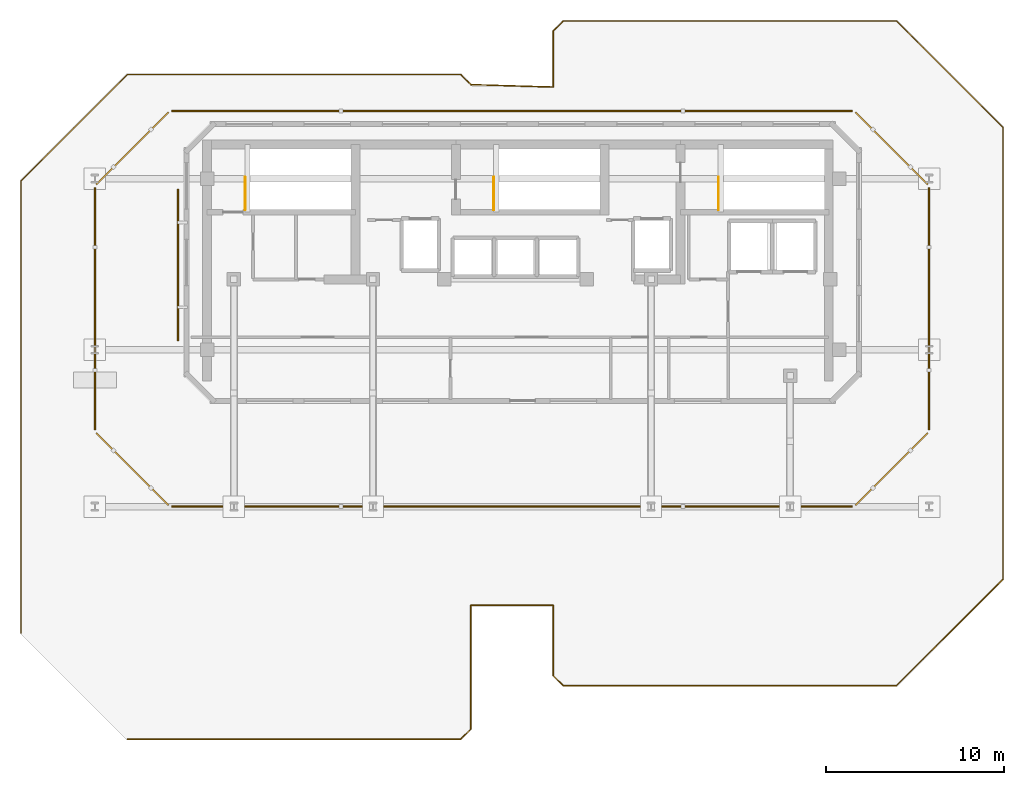
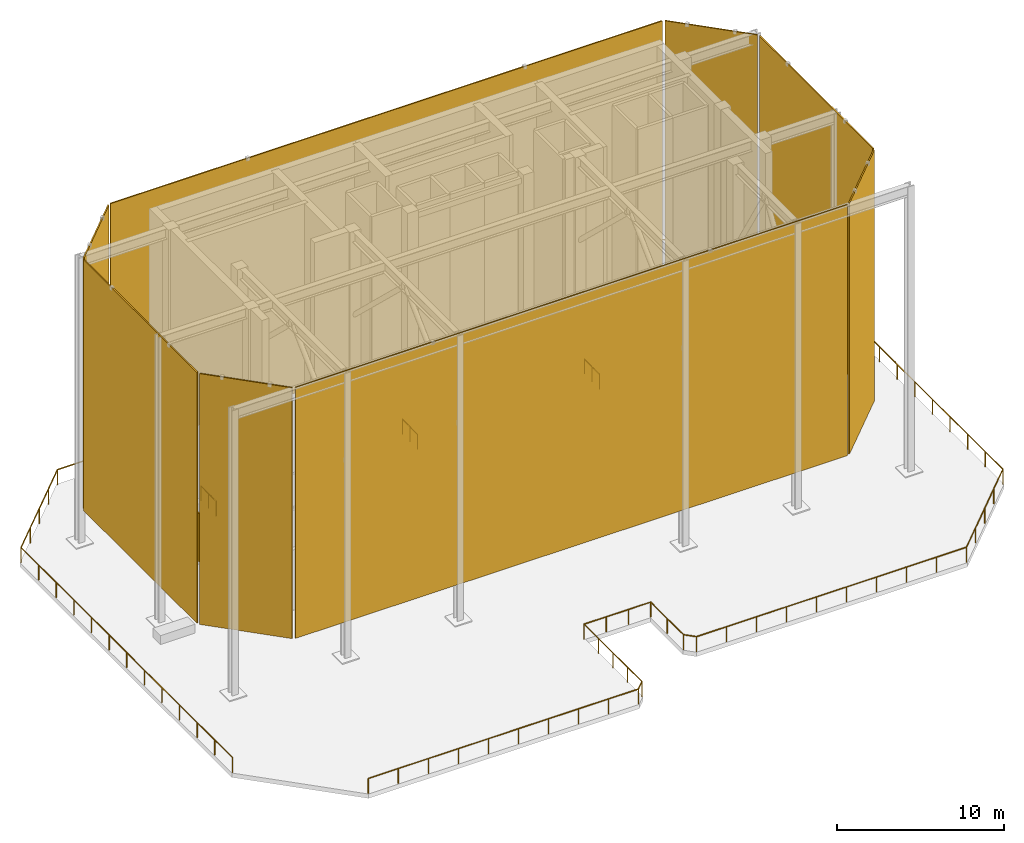
# One storey, part 5 of 5: 9 shading devices, 5 railings.
"""IFC4 building model written with IfcOpenShell, lengths in metres."""

from ifc_helpers import new_model, si_unit, direction, frame, origin, origin_2d, place, context, subcontext, project, spatial, rectangle, circle, extrude, material, layer, layer_set, type_object, element, save


model = new_model("IFC4")

# Units and contexts
model_context = context("Model", 3, precision=1e-05, world=origin(), true_north=direction((0.0, 1.0)))
body_context = subcontext(model_context, "Body", "Model", "MODEL_VIEW")
ifc_project = project(units=[si_unit("LENGTHUNIT", "METRE"), si_unit("AREAUNIT", "SQUARE_METRE"), si_unit("VOLUMEUNIT", "CUBIC_METRE"), si_unit("PLANEANGLEUNIT", "RADIAN"), si_unit("MASSUNIT", "GRAM", prefix="KILO")], contexts=[model_context])

# Site, building, storey
site_placement = place(None, origin())
site = spatial("IfcSite", under=ifc_project, at=site_placement, CompositionType="ELEMENT")
building_placement = place(site_placement, origin())
building = spatial("IfcBuilding", under=site, at=building_placement, Name="Kestravale Grand Hotel", CompositionType="ELEMENT")
storey_placement = place(building_placement, frame((0.0, 0.0, 311.39990234375)))
storey = spatial("IfcBuildingStorey", under=building, at=storey_placement, Name="Roof", CompositionType="ELEMENT", Elevation=311.39990234375)

# Railings
ifc_material_1 = material(Name="Champagne-bronze stainless steel and laminated glass guard", Category="steel")
railing_type_1 = type_object("IfcRailingType", Name="RL-EXT-1100", PredefinedType="GUARDRAIL", material=ifc_material_1)
railing_1_placement = place(storey_placement, frame((11.4599609375, 12.9248046875, 0.0)))
element("IfcRailing", 1, at=railing_1_placement, inside=storey, type_object=railing_type_1, Name="Roof outdoor terrace guard 1", PredefinedType="GUARDRAIL", context=body_context, shape_type="SweptSolid", body=[
    extrude(circle(Radius=0.02392578125, at=origin_2d()), frame((0.0, 0.0, 1.09619140625), z_axis=(0.0, 1.0, 0.0), x_axis=(-1.0, 0.0, 0.0)), (0.0, 0.0, 1.0), 25.350341796875),
    extrude(circle(Radius=0.02392578125, at=origin_2d()), frame((0.0, 25.350341796875, 1.09619140625), z_axis=(0.707106781187, 0.707106781187, 0.0), x_axis=(-0.707106781187, 0.707106781187, 0.0)), (0.0, 0.0, 1.0), 8.435546875),
    extrude(circle(Radius=0.02392578125, at=origin_2d()), frame((5.96484375, 31.315185546875, 1.09619140625), z_axis=(1.0, 0.0, 0.0), x_axis=(0.0, 1.0, 0.0)), (0.0, 0.0, 1.0), 18.7001953125),
    extrude(circle(Radius=0.02392578125, at=origin_2d()), frame((24.6650390625, 31.315185546875, 1.09619140625), z_axis=(0.707106781187, -0.707106781187, 0.0), x_axis=(0.707106781187, 0.707106781187, 0.0)), (0.0, 0.0, 1.0), 0.798828125),
    extrude(circle(Radius=0.02392578125, at=origin_2d()), frame((25.22998046875, 30.750244140625, 1.09619140625), z_axis=(0.99957330618, -0.029209682853, 0.0), x_axis=(0.029209682853, 0.99957330618, 0.0)), (0.0, 0.0, 1.0), 4.6220703125),
    extrude(circle(Radius=0.02392578125, at=origin_2d()), frame((29.85009765625, 30.615234375, 1.09619140625), z_axis=(0.0, 1.0, 0.0), x_axis=(-1.0, 0.0, 0.0)), (0.0, 0.0, 1.0), 3.135009765625),
    extrude(circle(Radius=0.02392578125, at=origin_2d()), frame((29.85009765625, 33.750244140625, 1.09619140625), z_axis=(0.707106781187, 0.707106781187, 0.0), x_axis=(-0.707106781187, 0.707106781187, 0.0)), (0.0, 0.0, 1.0), 0.798828125),
    extrude(circle(Radius=0.02392578125, at=origin_2d()), frame((30.4150390625, 34.315185546875, 1.09619140625), z_axis=(1.0, 0.0, 0.0), x_axis=(0.0, 1.0, 0.0)), (0.0, 0.0, 1.0), 18.7001953125),
    extrude(circle(Radius=0.02392578125, at=origin_2d()), frame((49.115234375, 34.315185546875, 1.09619140625), z_axis=(0.707106781187, -0.707106781187, 0.0), x_axis=(0.707106781187, 0.707106781187, 0.0)), (0.0, 0.0, 1.0), 8.435546875),
    extrude(circle(Radius=0.02392578125, at=origin_2d()), frame((55.080078125, 28.350341796875, 1.09619140625), z_axis=(0.0, -1.0, 0.0), x_axis=(1.0, 0.0, 0.0)), (0.0, 0.0, 1.0), 25.350341796875),
    extrude(circle(Radius=0.02099609375, at=origin_2d()), origin(), (0.0, 0.0, 1.0), 1.072021484375),
    extrude(circle(Radius=0.02099609375, at=origin_2d()), frame((0.0, 2.112548828125, 0.0)), (0.0, 0.0, 1.0), 1.072021484375),
    extrude(circle(Radius=0.02099609375, at=origin_2d()), frame((0.0, 4.22509765625, 0.0)), (0.0, 0.0, 1.0), 1.072021484375),
    extrude(circle(Radius=0.02099609375, at=origin_2d()), frame((0.0, 6.337646484375, 0.0)), (0.0, 0.0, 1.0), 1.072021484375),
    extrude(circle(Radius=0.02099609375, at=origin_2d()), frame((0.0, 8.4501953125, 0.0)), (0.0, 0.0, 1.0), 1.072021484375),
    extrude(circle(Radius=0.02099609375, at=origin_2d()), frame((0.0, 10.562744140625, 0.0)), (0.0, 0.0, 1.0), 1.072021484375),
    extrude(circle(Radius=0.02099609375, at=origin_2d()), frame((0.0, 12.67529296875, 0.0)), (0.0, 0.0, 1.0), 1.072021484375),
    extrude(circle(Radius=0.02099609375, at=origin_2d()), frame((0.0, 14.78759765625, 0.0)), (0.0, 0.0, 1.0), 1.072021484375),
    extrude(circle(Radius=0.02099609375, at=origin_2d()), frame((0.0, 16.900146484375, 0.0)), (0.0, 0.0, 1.0), 1.072021484375),
    extrude(circle(Radius=0.02099609375, at=origin_2d()), frame((0.0, 19.0126953125, 0.0)), (0.0, 0.0, 1.0), 1.072021484375),
    extrude(circle(Radius=0.02099609375, at=origin_2d()), frame((0.0, 21.125244140625, 0.0)), (0.0, 0.0, 1.0), 1.072021484375),
    extrude(circle(Radius=0.02099609375, at=origin_2d()), frame((0.0, 23.23779296875, 0.0)), (0.0, 0.0, 1.0), 1.072021484375),
    extrude(circle(Radius=0.02099609375, at=origin_2d()), frame((0.0, 25.350341796875, 0.0)), (0.0, 0.0, 1.0), 1.072021484375),
    extrude(circle(Radius=0.02099609375, at=origin_2d()), frame((1.4912109375, 26.841552734375, 0.0)), (0.0, 0.0, 1.0), 1.072021484375),
    extrude(circle(Radius=0.02099609375, at=origin_2d()), frame((2.982421875, 28.332763671875, 0.0)), (0.0, 0.0, 1.0), 1.072021484375),
    extrude(circle(Radius=0.02099609375, at=origin_2d()), frame((4.4736328125, 29.823974609375, 0.0)), (0.0, 0.0, 1.0), 1.072021484375),
    extrude(circle(Radius=0.02099609375, at=origin_2d()), frame((5.96484375, 31.315185546875, 0.0)), (0.0, 0.0, 1.0), 1.072021484375),
    extrude(circle(Radius=0.02099609375, at=origin_2d()), frame((8.042724609375, 31.315185546875, 0.0)), (0.0, 0.0, 1.0), 1.072021484375),
    extrude(circle(Radius=0.02099609375, at=origin_2d()), frame((10.120361328125, 31.315185546875, 0.0)), (0.0, 0.0, 1.0), 1.072021484375),
    extrude(circle(Radius=0.02099609375, at=origin_2d()), frame((12.1982421875, 31.315185546875, 0.0)), (0.0, 0.0, 1.0), 1.072021484375),
    extrude(circle(Radius=0.02099609375, at=origin_2d()), frame((14.276123046875, 31.315185546875, 0.0)), (0.0, 0.0, 1.0), 1.072021484375),
    extrude(circle(Radius=0.02099609375, at=origin_2d()), frame((16.353759765625, 31.315185546875, 0.0)), (0.0, 0.0, 1.0), 1.072021484375),
    extrude(circle(Radius=0.02099609375, at=origin_2d()), frame((18.431640625, 31.315185546875, 0.0)), (0.0, 0.0, 1.0), 1.072021484375),
    extrude(circle(Radius=0.02099609375, at=origin_2d()), frame((20.509521484375, 31.315185546875, 0.0)), (0.0, 0.0, 1.0), 1.072021484375),
    extrude(circle(Radius=0.02099609375, at=origin_2d()), frame((22.587158203125, 31.315185546875, 0.0)), (0.0, 0.0, 1.0), 1.072021484375),
    extrude(circle(Radius=0.02099609375, at=origin_2d()), frame((24.6650390625, 31.315185546875, 0.0)), (0.0, 0.0, 1.0), 1.072021484375),
    extrude(circle(Radius=0.02099609375, at=origin_2d()), frame((25.22998046875, 30.750244140625, 0.0)), (0.0, 0.0, 1.0), 1.072021484375),
    extrude(circle(Radius=0.02099609375, at=origin_2d()), frame((26.77001953125, 30.705322265625, 0.0)), (0.0, 0.0, 1.0), 1.072021484375),
    extrude(circle(Radius=0.02099609375, at=origin_2d()), frame((28.31005859375, 30.66015625, 0.0)), (0.0, 0.0, 1.0), 1.072021484375),
    extrude(circle(Radius=0.02099609375, at=origin_2d()), frame((29.85009765625, 30.615234375, 0.0)), (0.0, 0.0, 1.0), 1.072021484375),
    extrude(circle(Radius=0.02099609375, at=origin_2d()), frame((29.85009765625, 32.1826171875, 0.0)), (0.0, 0.0, 1.0), 1.072021484375),
    extrude(circle(Radius=0.02099609375, at=origin_2d()), frame((29.85009765625, 33.750244140625, 0.0)), (0.0, 0.0, 1.0), 1.072021484375),
    extrude(circle(Radius=0.02099609375, at=origin_2d()), frame((30.4150390625, 34.315185546875, 0.0)), (0.0, 0.0, 1.0), 1.072021484375),
    extrude(circle(Radius=0.02099609375, at=origin_2d()), frame((32.492919921875, 34.315185546875, 0.0)), (0.0, 0.0, 1.0), 1.072021484375),
    extrude(circle(Radius=0.02099609375, at=origin_2d()), frame((34.570556640625, 34.315185546875, 0.0)), (0.0, 0.0, 1.0), 1.072021484375),
    extrude(circle(Radius=0.02099609375, at=origin_2d()), frame((36.6484375, 34.315185546875, 0.0)), (0.0, 0.0, 1.0), 1.072021484375),
    extrude(circle(Radius=0.02099609375, at=origin_2d()), frame((38.726318359375, 34.315185546875, 0.0)), (0.0, 0.0, 1.0), 1.072021484375),
    extrude(circle(Radius=0.02099609375, at=origin_2d()), frame((40.803955078125, 34.315185546875, 0.0)), (0.0, 0.0, 1.0), 1.072021484375),
    extrude(circle(Radius=0.02099609375, at=origin_2d()), frame((42.8818359375, 34.315185546875, 0.0)), (0.0, 0.0, 1.0), 1.072021484375),
    extrude(circle(Radius=0.02099609375, at=origin_2d()), frame((44.959716796875, 34.315185546875, 0.0)), (0.0, 0.0, 1.0), 1.072021484375),
    extrude(circle(Radius=0.02099609375, at=origin_2d()), frame((47.037353515625, 34.315185546875, 0.0)), (0.0, 0.0, 1.0), 1.072021484375),
    extrude(circle(Radius=0.02099609375, at=origin_2d()), frame((49.115234375, 34.315185546875, 0.0)), (0.0, 0.0, 1.0), 1.072021484375),
    extrude(circle(Radius=0.02099609375, at=origin_2d()), frame((50.6064453125, 32.823974609375, 0.0)), (0.0, 0.0, 1.0), 1.072021484375),
    extrude(circle(Radius=0.02099609375, at=origin_2d()), frame((52.09765625, 31.332763671875, 0.0)), (0.0, 0.0, 1.0), 1.072021484375),
    extrude(circle(Radius=0.02099609375, at=origin_2d()), frame((53.5888671875, 29.841552734375, 0.0)), (0.0, 0.0, 1.0), 1.072021484375),
    extrude(circle(Radius=0.02099609375, at=origin_2d()), frame((55.080078125, 28.350341796875, 0.0)), (0.0, 0.0, 1.0), 1.072021484375),
    extrude(circle(Radius=0.02099609375, at=origin_2d()), frame((55.080078125, 26.23779296875, 0.0)), (0.0, 0.0, 1.0), 1.072021484375),
    extrude(circle(Radius=0.02099609375, at=origin_2d()), frame((55.080078125, 24.125244140625, 0.0)), (0.0, 0.0, 1.0), 1.072021484375),
    extrude(circle(Radius=0.02099609375, at=origin_2d()), frame((55.080078125, 22.0126953125, 0.0)), (0.0, 0.0, 1.0), 1.072021484375),
    extrude(circle(Radius=0.02099609375, at=origin_2d()), frame((55.080078125, 19.900146484375, 0.0)), (0.0, 0.0, 1.0), 1.072021484375),
    extrude(circle(Radius=0.02099609375, at=origin_2d()), frame((55.080078125, 17.78759765625, 0.0)), (0.0, 0.0, 1.0), 1.072021484375),
    extrude(circle(Radius=0.02099609375, at=origin_2d()), frame((55.080078125, 15.67529296875, 0.0)), (0.0, 0.0, 1.0), 1.072021484375),
    extrude(circle(Radius=0.02099609375, at=origin_2d()), frame((55.080078125, 13.562744140625, 0.0)), (0.0, 0.0, 1.0), 1.072021484375),
    extrude(circle(Radius=0.02099609375, at=origin_2d()), frame((55.080078125, 11.4501953125, 0.0)), (0.0, 0.0, 1.0), 1.072021484375),
    extrude(circle(Radius=0.02099609375, at=origin_2d()), frame((55.080078125, 9.337646484375, 0.0)), (0.0, 0.0, 1.0), 1.072021484375),
    extrude(circle(Radius=0.02099609375, at=origin_2d()), frame((55.080078125, 7.22509765625, 0.0)), (0.0, 0.0, 1.0), 1.072021484375),
    extrude(circle(Radius=0.02099609375, at=origin_2d()), frame((55.080078125, 5.112548828125, 0.0)), (0.0, 0.0, 1.0), 1.072021484375),
    extrude(circle(Radius=0.02099609375, at=origin_2d()), frame((55.080078125, 3.0, 0.0)), (0.0, 0.0, 1.0), 1.072021484375),
])
railing_2_placement = place(storey_placement, frame((66.5400390625, 15.9248046875, 0.0)))
element("IfcRailing", 2, at=railing_2_placement, inside=storey, type_object=railing_type_1, Name="Roof outdoor terrace guard 2", PredefinedType="GUARDRAIL", context=body_context, shape_type="SweptSolid", body=[
    extrude(circle(Radius=0.02392578125, at=origin_2d()), frame((0.0, 0.0, 1.09619140625), z_axis=(-0.707106781187, -0.707106781187, 0.0), x_axis=(0.707106781187, -0.707106781187, 0.0)), (0.0, 0.0, 1.0), 8.435546875),
    extrude(circle(Radius=0.02392578125, at=origin_2d()), frame((-5.96484375, -5.96484375, 1.09619140625), z_axis=(-1.0, 0.0, 0.0), x_axis=(0.0, -1.0, 0.0)), (0.0, 0.0, 1.0), 18.7001953125),
    extrude(circle(Radius=0.02392578125, at=origin_2d()), frame((-24.6650390625, -5.96484375, 1.09619140625), z_axis=(-0.707106781187, 0.707106781187, 0.0), x_axis=(-0.707106781187, -0.707106781187, 0.0)), (0.0, 0.0, 1.0), 0.798828125),
    extrude(circle(Radius=0.02392578125, at=origin_2d()), frame((-25.22998046875, -5.39990234375, 1.09619140625), z_axis=(0.0, 1.0, 0.0), x_axis=(-1.0, 0.0, 0.0)), (0.0, 0.0, 1.0), 3.93505859375),
    extrude(circle(Radius=0.02392578125, at=origin_2d()), frame((-25.22998046875, -1.46484375, 1.09619140625), z_axis=(-1.0, 0.0, 0.0), x_axis=(0.0, -1.0, 0.0)), (0.0, 0.0, 1.0), 4.6201171875),
    extrude(circle(Radius=0.02392578125, at=origin_2d()), frame((-29.85009765625, -1.46484375, 1.09619140625), z_axis=(0.0, -1.0, 0.0), x_axis=(1.0, 0.0, 0.0)), (0.0, 0.0, 1.0), 6.93505859375),
    extrude(circle(Radius=0.02392578125, at=origin_2d()), frame((-29.85009765625, -8.39990234375, 1.09619140625), z_axis=(-0.707106781187, -0.707106781187, 0.0), x_axis=(0.707106781187, -0.707106781187, 0.0)), (0.0, 0.0, 1.0), 0.798828125),
    extrude(circle(Radius=0.02392578125, at=origin_2d()), frame((-30.4150390625, -8.96484375, 1.09619140625), z_axis=(-1.0, 0.0, 0.0), x_axis=(0.0, -1.0, 0.0)), (0.0, 0.0, 1.0), 18.7001953125),
    extrude(circle(Radius=0.02099609375, at=origin_2d()), origin(), (0.0, 0.0, 1.0), 1.072021484375),
    extrude(circle(Radius=0.02099609375, at=origin_2d()), frame((-1.4912109375, -1.4912109375, 0.0)), (0.0, 0.0, 1.0), 1.072021484375),
    extrude(circle(Radius=0.02099609375, at=origin_2d()), frame((-2.982421875, -2.982421875, 0.0)), (0.0, 0.0, 1.0), 1.072021484375),
    extrude(circle(Radius=0.02099609375, at=origin_2d()), frame((-4.4736328125, -4.4736328125, 0.0)), (0.0, 0.0, 1.0), 1.072021484375),
    extrude(circle(Radius=0.02099609375, at=origin_2d()), frame((-5.96484375, -5.96484375, 0.0)), (0.0, 0.0, 1.0), 1.072021484375),
    extrude(circle(Radius=0.02099609375, at=origin_2d()), frame((-8.042724609375, -5.96484375, 0.0)), (0.0, 0.0, 1.0), 1.072021484375),
    extrude(circle(Radius=0.02099609375, at=origin_2d()), frame((-10.120361328125, -5.96484375, 0.0)), (0.0, 0.0, 1.0), 1.072021484375),
    extrude(circle(Radius=0.02099609375, at=origin_2d()), frame((-12.1982421875, -5.96484375, 0.0)), (0.0, 0.0, 1.0), 1.072021484375),
    extrude(circle(Radius=0.02099609375, at=origin_2d()), frame((-14.276123046875, -5.96484375, 0.0)), (0.0, 0.0, 1.0), 1.072021484375),
    extrude(circle(Radius=0.02099609375, at=origin_2d()), frame((-16.353759765625, -5.96484375, 0.0)), (0.0, 0.0, 1.0), 1.072021484375),
    extrude(circle(Radius=0.02099609375, at=origin_2d()), frame((-18.431640625, -5.96484375, 0.0)), (0.0, 0.0, 1.0), 1.072021484375),
    extrude(circle(Radius=0.02099609375, at=origin_2d()), frame((-20.509521484375, -5.96484375, 0.0)), (0.0, 0.0, 1.0), 1.072021484375),
    extrude(circle(Radius=0.02099609375, at=origin_2d()), frame((-22.587158203125, -5.96484375, 0.0)), (0.0, 0.0, 1.0), 1.072021484375),
    extrude(circle(Radius=0.02099609375, at=origin_2d()), frame((-24.6650390625, -5.96484375, 0.0)), (0.0, 0.0, 1.0), 1.072021484375),
    extrude(circle(Radius=0.02099609375, at=origin_2d()), frame((-25.22998046875, -5.39990234375, 0.0)), (0.0, 0.0, 1.0), 1.072021484375),
    extrude(circle(Radius=0.02099609375, at=origin_2d()), frame((-25.22998046875, -3.432373046875, 0.0)), (0.0, 0.0, 1.0), 1.072021484375),
    extrude(circle(Radius=0.02099609375, at=origin_2d()), frame((-25.22998046875, -1.46484375, 0.0)), (0.0, 0.0, 1.0), 1.072021484375),
    extrude(circle(Radius=0.02099609375, at=origin_2d()), frame((-26.77001953125, -1.46484375, 0.0)), (0.0, 0.0, 1.0), 1.072021484375),
    extrude(circle(Radius=0.02099609375, at=origin_2d()), frame((-28.31005859375, -1.46484375, 0.0)), (0.0, 0.0, 1.0), 1.072021484375),
    extrude(circle(Radius=0.02099609375, at=origin_2d()), frame((-29.85009765625, -1.46484375, 0.0)), (0.0, 0.0, 1.0), 1.072021484375),
    extrude(circle(Radius=0.02099609375, at=origin_2d()), frame((-29.85009765625, -3.19873046875, 0.0)), (0.0, 0.0, 1.0), 1.072021484375),
    extrude(circle(Radius=0.02099609375, at=origin_2d()), frame((-29.85009765625, -4.932373046875, 0.0)), (0.0, 0.0, 1.0), 1.072021484375),
    extrude(circle(Radius=0.02099609375, at=origin_2d()), frame((-29.85009765625, -6.666015625, 0.0)), (0.0, 0.0, 1.0), 1.072021484375),
    extrude(circle(Radius=0.02099609375, at=origin_2d()), frame((-29.85009765625, -8.39990234375, 0.0)), (0.0, 0.0, 1.0), 1.072021484375),
    extrude(circle(Radius=0.02099609375, at=origin_2d()), frame((-30.4150390625, -8.96484375, 0.0)), (0.0, 0.0, 1.0), 1.072021484375),
    extrude(circle(Radius=0.02099609375, at=origin_2d()), frame((-32.492919921875, -8.96484375, 0.0)), (0.0, 0.0, 1.0), 1.072021484375),
    extrude(circle(Radius=0.02099609375, at=origin_2d()), frame((-34.570556640625, -8.96484375, 0.0)), (0.0, 0.0, 1.0), 1.072021484375),
    extrude(circle(Radius=0.02099609375, at=origin_2d()), frame((-36.6484375, -8.96484375, 0.0)), (0.0, 0.0, 1.0), 1.072021484375),
    extrude(circle(Radius=0.02099609375, at=origin_2d()), frame((-38.726318359375, -8.96484375, 0.0)), (0.0, 0.0, 1.0), 1.072021484375),
    extrude(circle(Radius=0.02099609375, at=origin_2d()), frame((-40.803955078125, -8.96484375, 0.0)), (0.0, 0.0, 1.0), 1.072021484375),
    extrude(circle(Radius=0.02099609375, at=origin_2d()), frame((-42.8818359375, -8.96484375, 0.0)), (0.0, 0.0, 1.0), 1.072021484375),
    extrude(circle(Radius=0.02099609375, at=origin_2d()), frame((-44.959716796875, -8.96484375, 0.0)), (0.0, 0.0, 1.0), 1.072021484375),
    extrude(circle(Radius=0.02099609375, at=origin_2d()), frame((-47.037353515625, -8.96484375, 0.0)), (0.0, 0.0, 1.0), 1.072021484375),
    extrude(circle(Radius=0.02099609375, at=origin_2d()), frame((-49.115234375, -8.96484375, 0.0)), (0.0, 0.0, 1.0), 1.072021484375),
])
ifc_material_2 = material(Name="Painted tubular steel stair well guard", Category="steel")
railing_type_2 = type_object("IfcRailingType", Name="RL-ST-GRD1100", PredefinedType="GUARDRAIL", material=ifc_material_2)
for number, where, name in (
    (3, (24.030029296875, 36.64990234375, 0.0), "Roof ST-1 top well guard 1"),
    (4, (37.97998046875, 36.64990234375, 0.0), "Roof ST-2 top well guard 1"),
    (5, (50.580078125, 36.64990234375, 0.0), "Roof ST-3 top well guard 1"),
):
    element("IfcRailing", number, at=place(storey_placement, frame(where)), inside=storey, type_object=railing_type_2, Name=name, PredefinedType="GUARDRAIL", context=body_context, shape_type="SweptSolid", body=[
        extrude(circle(Radius=0.02392578125, at=origin_2d()), frame((0.0, 0.0, 1.076171875), z_axis=(0.0, 1.0, 0.0), x_axis=(-1.0, 0.0, 0.0)), (0.0, 0.0, 1.0), 1.830078125),
        extrude(circle(Radius=0.02099609375, at=origin_2d()), origin(), (0.0, 0.0, 1.0), 1.052001953125),
        extrude(circle(Radius=0.02099609375, at=origin_2d()), frame((0.0, 0.9150390625, 0.0)), (0.0, 0.0, 1.0), 1.052001953125),
        extrude(circle(Radius=0.02099609375, at=origin_2d()), frame((0.0, 1.830078125, 0.0)), (0.0, 0.0, 1.0), 1.052001953125),
    ])

# Shading devices
ifc_material_3 = material(Name="Perforated champagne-bronze Art Deco chevron crown solar screen", Category="aluminium")
ifc_layer_1 = layer(ifc_material_3, 0.0849609375)
ifc_layer_set_1 = layer_set([ifc_layer_1], Name="SHD-CRN-CHEV")
shading_device_type_1 = type_object("IfcShadingDeviceType", Name="SHD-CRN-CHEV", PredefinedType="USERDEFINED", material=ifc_layer_set_1)
shading_device_1_placement = place(storey_placement, frame((39.0, 20.0, 2.60009765625), z_axis=(0.0, 0.0, 1.0), x_axis=(1.0, 0.0, 0.0)))
element("IfcShadingDevice", 6, at=shading_device_1_placement, inside=storey, type_object=shading_device_type_1, Name="Crown sky-garden perforated bronze chevron screen 1", ObjectType="SCREEN", PredefinedType="USERDEFINED", context=body_context, shape_type="SweptSolid", body=[
    extrude(rectangle(XDim=38.199951171875, YDim=0.0849609375, at=origin_2d()), origin(), (0.0, 0.0, 1.0), 18.360107421875),
])
shading_device_2_placement = place(storey_placement, frame((60.300048828125, 22.10009765625, 2.60009765625), z_axis=(0.0, 0.0, 1.0), x_axis=(0.707106781187, 0.707106781187, 0.0)))
element("IfcShadingDevice", 7, at=shading_device_2_placement, inside=storey, type_object=shading_device_type_1, Name="Crown sky-garden perforated bronze chevron screen 2", ObjectType="SCREEN", PredefinedType="USERDEFINED", context=body_context, shape_type="SweptSolid", body=[
    extrude(rectangle(XDim=5.73974609375, YDim=0.0849609375, at=origin_2d()), origin(), (0.0, 0.0, 1.0), 18.360107421875),
])
shading_device_3_placement = place(storey_placement, frame((62.39990234375, 31.10009765625, 2.60009765625), z_axis=(0.0, 0.0, 1.0), x_axis=(0.0, 1.0, 0.0)))
element("IfcShadingDevice", 8, at=shading_device_3_placement, inside=storey, type_object=shading_device_type_1, Name="Crown sky-garden perforated bronze chevron screen 3", ObjectType="SCREEN", PredefinedType="USERDEFINED", context=body_context, shape_type="SweptSolid", body=[
    extrude(rectangle(XDim=13.60009765625, YDim=0.0849609375, at=origin_2d()), origin(), (0.0, 0.0, 1.0), 18.360107421875),
])
shading_device_4_placement = place(storey_placement, frame((60.300048828125, 40.10009765625, 2.60009765625), z_axis=(0.0, 0.0, 1.0), x_axis=(-0.707106781187, 0.707106781187, 0.0)))
element("IfcShadingDevice", 9, at=shading_device_4_placement, inside=storey, type_object=shading_device_type_1, Name="Crown sky-garden perforated bronze chevron screen 4", ObjectType="SCREEN", PredefinedType="USERDEFINED", context=body_context, shape_type="SweptSolid", body=[
    extrude(rectangle(XDim=5.73974609375, YDim=0.0849609375, at=origin_2d()), origin(), (0.0, 0.0, 1.0), 18.360107421875),
])
shading_device_5_placement = place(storey_placement, frame((39.0, 42.199951171875, 2.60009765625), z_axis=(0.0, 0.0, 1.0), x_axis=(-1.0, 0.0, 0.0)))
element("IfcShadingDevice", 10, at=shading_device_5_placement, inside=storey, type_object=shading_device_type_1, Name="Crown sky-garden perforated bronze chevron screen 5", ObjectType="SCREEN", PredefinedType="USERDEFINED", context=body_context, shape_type="SweptSolid", body=[
    extrude(rectangle(XDim=38.199951171875, YDim=0.0849609375, at=origin_2d()), origin(), (0.0, 0.0, 1.0), 18.360107421875),
])
shading_device_6_placement = place(storey_placement, frame((17.699951171875, 40.10009765625, 2.60009765625), z_axis=(0.0, 0.0, 1.0), x_axis=(-0.707106781187, -0.707106781187, 0.0)))
element("IfcShadingDevice", 11, at=shading_device_6_placement, inside=storey, type_object=shading_device_type_1, Name="Crown sky-garden perforated bronze chevron screen 6", ObjectType="SCREEN", PredefinedType="USERDEFINED", context=body_context, shape_type="SweptSolid", body=[
    extrude(rectangle(XDim=5.73974609375, YDim=0.0849609375, at=origin_2d()), origin(), (0.0, 0.0, 1.0), 18.360107421875),
])
shading_device_7_placement = place(storey_placement, frame((15.60009765625, 31.10009765625, 2.60009765625), z_axis=(0.0, 0.0, 1.0), x_axis=(0.0, -1.0, 0.0)))
element("IfcShadingDevice", 12, at=shading_device_7_placement, inside=storey, type_object=shading_device_type_1, Name="Crown sky-garden perforated bronze chevron screen 7", ObjectType="SCREEN", PredefinedType="USERDEFINED", context=body_context, shape_type="SweptSolid", body=[
    extrude(rectangle(XDim=13.60009765625, YDim=0.0849609375, at=origin_2d()), origin(), (0.0, 0.0, 1.0), 18.360107421875),
])
shading_device_8_placement = place(storey_placement, frame((17.699951171875, 22.10009765625, 2.60009765625), z_axis=(0.0, 0.0, 1.0), x_axis=(0.707106781187, -0.707106781187, 0.0)))
element("IfcShadingDevice", 13, at=shading_device_8_placement, inside=storey, type_object=shading_device_type_1, Name="Crown sky-garden perforated bronze chevron screen 8", ObjectType="SCREEN", PredefinedType="USERDEFINED", context=body_context, shape_type="SweptSolid", body=[
    extrude(rectangle(XDim=5.73974609375, YDim=0.0849609375, at=origin_2d()), origin(), (0.0, 0.0, 1.0), 18.360107421875),
])
ifc_material_4 = material(Name="Perforated champagne-bronze aluminium and ceramic solar screen", Category="aluminium")
ifc_layer_2 = layer(ifc_material_4, 0.06494140625)
ifc_layer_set_2 = layer_set([ifc_layer_2], Name="SHD-SCR-CHEV")
shading_device_type_2 = type_object("IfcShadingDeviceType", Name="SHD-SCR-CHEV", PredefinedType="USERDEFINED", material=ifc_layer_set_2)
shading_device_9_placement = place(storey_placement, frame((20.260009765625, 33.56005859375, 0.7001953125), z_axis=(0.0, 0.0, 1.0), x_axis=(0.0, -1.0, 0.0)))
element("IfcShadingDevice", 14, at=shading_device_9_placement, inside=storey, type_object=shading_device_type_2, Name="Roof Perforated bronze ceramic chevron solar screen SCR-Roof-07", ObjectType="SCREEN", PredefinedType="USERDEFINED", context=body_context, shape_type="SweptSolid", body=[
    extrude(rectangle(XDim=8.47998046875, YDim=0.06494140625, at=origin_2d()), origin(), (0.0, 0.0, 1.0), 3.550048828125),
])

save(model, "model.ifc")
